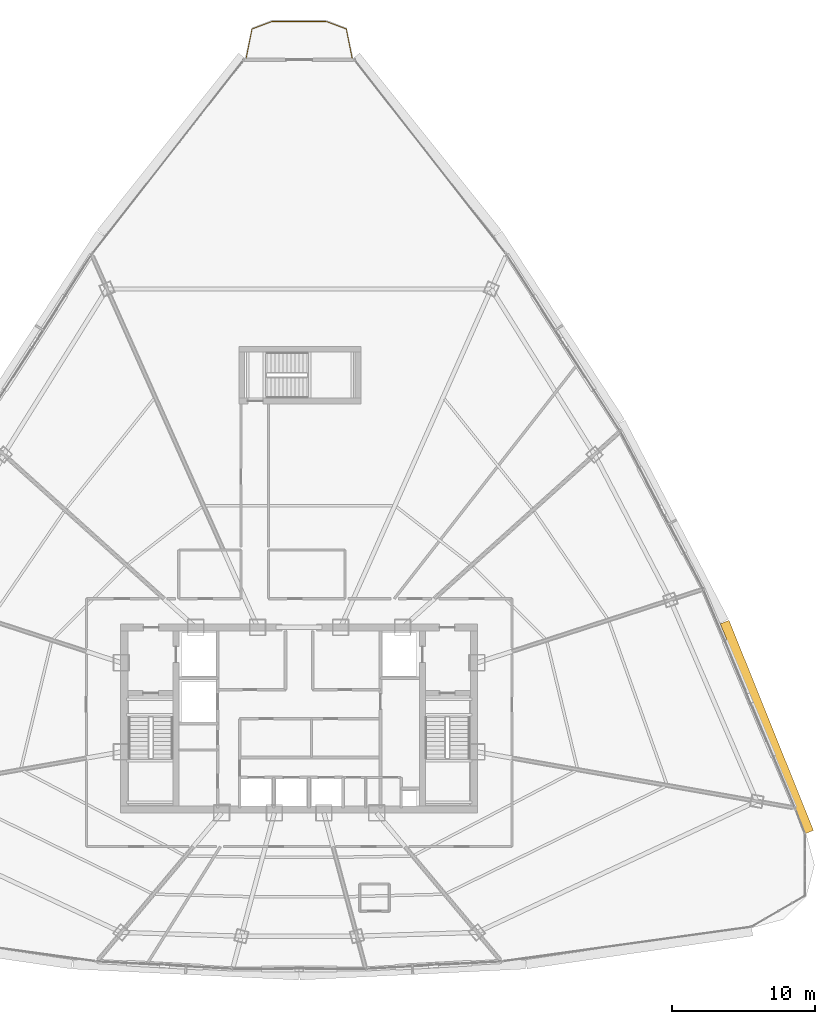
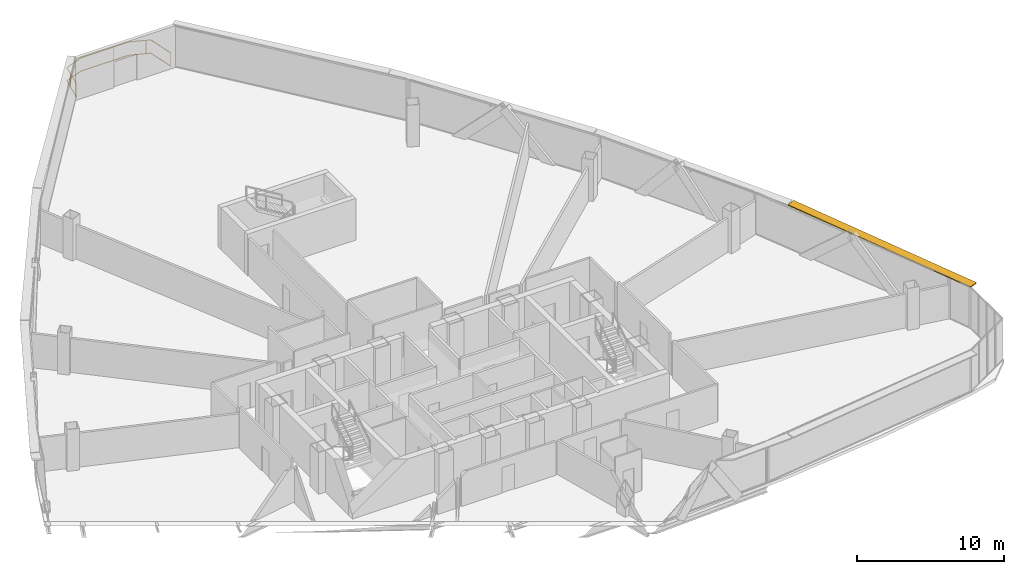
# One storey, part 36 of 36: 1 railing, 1 shading device.
"""IFC4 building model written with IfcOpenShell, lengths in metres."""

from ifc_helpers import new_model, si_unit, direction, frame, origin, origin_2d, place, context, subcontext, project, spatial, rectangle, extrude, source, transform, mapped, material, layer, layer_set, type_object, element, save


model = new_model("IFC4")

# Units and contexts
model_context = context("Model", 3, precision=1e-05, world=origin(), true_north=direction((0.0, 1.0)))
body_context = subcontext(model_context, "Body", "Model", "MODEL_VIEW")
ifc_project = project(units=[si_unit("LENGTHUNIT", "METRE"), si_unit("AREAUNIT", "SQUARE_METRE"), si_unit("VOLUMEUNIT", "CUBIC_METRE"), si_unit("PLANEANGLEUNIT", "RADIAN"), si_unit("MASSUNIT", "GRAM", prefix="KILO"), si_unit("THERMODYNAMICTEMPERATUREUNIT", "KELVIN"), si_unit("POWERUNIT", "WATT")], contexts=[model_context])

# Site, building, storey
site_placement = place(None, origin())
site = spatial("IfcSite", under=ifc_project, at=site_placement, CompositionType="ELEMENT")
building_placement = place(site_placement, origin())
building = spatial("IfcBuilding", under=site, at=building_placement, Name="Yunzhuo Pagoda Commons", CompositionType="ELEMENT")
storey_placement = place(building_placement, frame((0.0, 0.0, 244.530029296875)))
storey = spatial("IfcBuildingStorey", under=building, at=storey_placement, Name="L61", CompositionType="ELEMENT", Elevation=244.530029296875)

# Railing
ifc_material = material(Name="Anodized aluminium 6063-T6", Category="aluminium")
railing_type = type_object("IfcRailingType", Name="RL-BAL1 Exterior Terrace & Balcony Balustrade 1150", PredefinedType="BALUSTRADE", material=ifc_material)
railing_placement = place(storey_placement, frame((51.693603515625, 79.9296875, 0.0)))
element("IfcRailing", 1, at=railing_placement, inside=storey, type_object=railing_type, Name="L61 corner balcony balustrade V3", PredefinedType="BALUSTRADE", context=body_context, shape_type="SweptSolid", body=[
    extrude(rectangle(XDim=0.048095703125, YDim=0.048095703125, at=origin_2d()), frame((0.0, 0.0, 1.1259765625), z_axis=(-0.194200568098, 0.980961843983, 0.0), x_axis=(-0.980961843983, -0.194200568098, 0.0)), (0.0, 0.0, 1.0), 2.059326171875),
    extrude(rectangle(XDim=0.048095703125, YDim=0.048095703125, at=origin_2d()), frame((0.0, 0.0, 0.02392578125), z_axis=(-0.194200568098, 0.980961843983, 0.0), x_axis=(-0.980961843983, -0.194200568098, 0.0)), (0.0, 0.0, 1.0), 2.059326171875),
    extrude(rectangle(XDim=0.048095703125, YDim=0.048095703125, at=origin_2d()), frame((-0.39990234375, 2.02001953125, 1.1259765625), z_axis=(-0.93580094049, 0.352528863752, 0.0), x_axis=(-0.352528863752, -0.93580094049, 0.0)), (0.0, 0.0, 1.0), 1.50341796875),
    extrude(rectangle(XDim=0.048095703125, YDim=0.048095703125, at=origin_2d()), frame((-0.39990234375, 2.02001953125, 0.02392578125), z_axis=(-0.93580094049, 0.352528863752, 0.0), x_axis=(-0.352528863752, -0.93580094049, 0.0)), (0.0, 0.0, 1.0), 1.50341796875),
    extrude(rectangle(XDim=0.048095703125, YDim=0.048095703125, at=origin_2d()), frame((-1.806884765625, 2.550048828125, 1.1259765625), z_axis=(-1.0, 0.0, 0.0), x_axis=(0.0, -1.0, 0.0)), (0.0, 0.0, 1.0), 3.7734375),
    extrude(rectangle(XDim=0.048095703125, YDim=0.048095703125, at=origin_2d()), frame((-1.806884765625, 2.550048828125, 0.02392578125), z_axis=(-1.0, 0.0, 0.0), x_axis=(0.0, -1.0, 0.0)), (0.0, 0.0, 1.0), 3.7734375),
    extrude(rectangle(XDim=0.048095703125, YDim=0.048095703125, at=origin_2d()), frame((-5.580322265625, 2.550048828125, 1.1259765625), z_axis=(-0.93580094049, -0.352528863752, 0.0), x_axis=(0.352528863752, -0.93580094049, 0.0)), (0.0, 0.0, 1.0), 1.50341796875),
    extrude(rectangle(XDim=0.048095703125, YDim=0.048095703125, at=origin_2d()), frame((-5.580322265625, 2.550048828125, 0.02392578125), z_axis=(-0.93580094049, -0.352528863752, 0.0), x_axis=(0.352528863752, -0.93580094049, 0.0)), (0.0, 0.0, 1.0), 1.50341796875),
    extrude(rectangle(XDim=0.048095703125, YDim=0.048095703125, at=origin_2d()), frame((-6.9873046875, 2.02001953125, 1.1259765625), z_axis=(-0.194200568098, -0.980961843983, 0.0), x_axis=(0.980961843983, -0.194200568098, 0.0)), (0.0, 0.0, 1.0), 2.059326171875),
    extrude(rectangle(XDim=0.048095703125, YDim=0.048095703125, at=origin_2d()), frame((-6.9873046875, 2.02001953125, 0.02392578125), z_axis=(-0.194200568098, -0.980961843983, 0.0), x_axis=(0.980961843983, -0.194200568098, 0.0)), (0.0, 0.0, 1.0), 2.059326171875),
    extrude(rectangle(XDim=0.0419921875, YDim=0.0419921875, at=origin_2d()), origin(), (0.0, 0.0, 1.0), 1.101806640625),
    extrude(rectangle(XDim=0.0419921875, YDim=0.0419921875, at=origin_2d()), frame((-0.71875, 2.14013671875, 0.0)), (0.0, 0.0, 1.0), 1.101806640625),
    extrude(rectangle(XDim=0.0419921875, YDim=0.0419921875, at=origin_2d()), frame((-3.044189453125, 2.550048828125, 0.0)), (0.0, 0.0, 1.0), 1.101806640625),
    extrude(rectangle(XDim=0.0419921875, YDim=0.0419921875, at=origin_2d()), frame((-7.135009765625, 1.274169921875, 0.0)), (0.0, 0.0, 1.0), 1.101806640625),
    extrude(rectangle(XDim=0.0419921875, YDim=0.0419921875, at=origin_2d()), frame((-7.38720703125, 0.0, 0.0)), (0.0, 0.0, 1.0), 1.101806640625),
])

# Shading device
ifc_layer = layer(ifc_material, 0.080078125)
ifc_layer_set = layer_set([ifc_layer], Name="Anodized aluminium 6063-T6")
shading_device_type = type_object("IfcShadingDeviceType", Name="SH-SUN1 Pagoda Horizontal Sunshade Eave 650", PredefinedType="USERDEFINED", material=ifc_layer_set)
shared_shape = source(origin(), body_context, "Body", "SweptSolid", [
    extrude(rectangle(XDim=15.79638671875, YDim=0.64990234375, at=origin_2d()), origin(), (0.0, 0.0, 1.0), 0.080078125),
])
shading_device_placement = place(storey_placement, frame((80.636962890625, 33.241943359375, 3.389892578125), z_axis=(0.0, 0.0, 1.0), x_axis=(-0.372987782576, 0.927836253899, 0.0)))
element("IfcShadingDevice", 2, at=shading_device_placement, inside=storey, type_object=shading_device_type, Name="L61 horizontal pagoda sunshade eave F2.1", ObjectType="SUNSHADE", PredefinedType="USERDEFINED", context=body_context, shape_type="MappedRepresentation", body=[
    mapped(shared_shape, transform((0.0, 0.0, 0.0), scale=1.0)),
])

save(model, "model.ifc")
